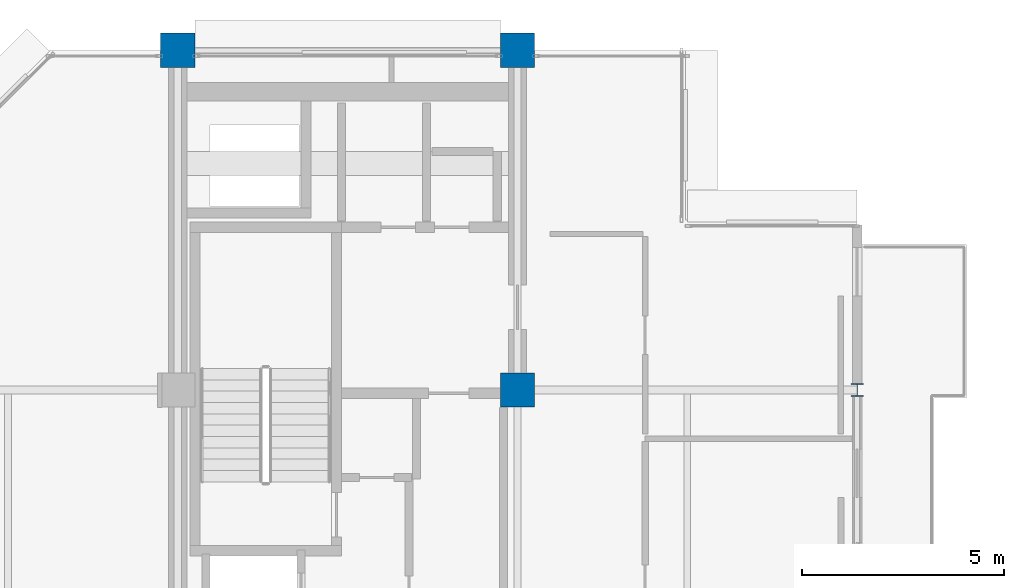
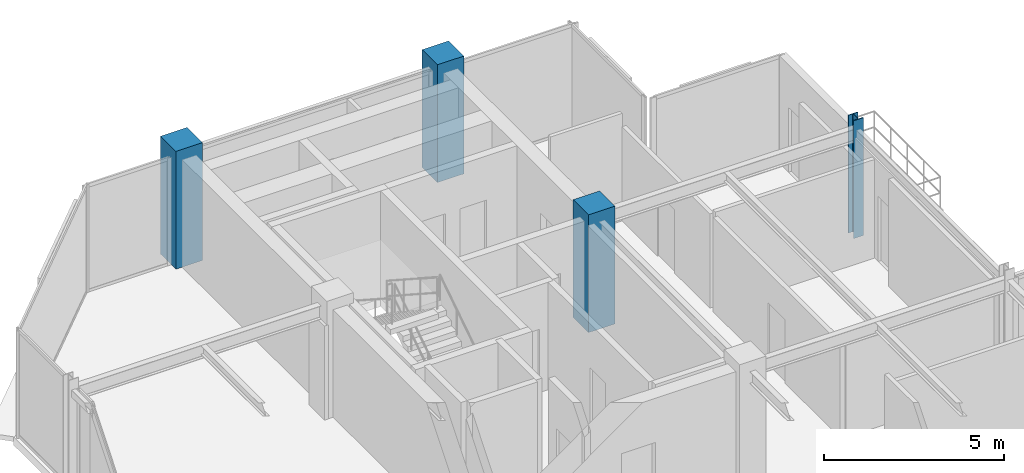
# One storey, part 2 of 25: 4 columns.
"""IFC4 building model written with IfcOpenShell, lengths in metres."""

from ifc_helpers import new_model, si_unit, direction, frame, origin, origin_2d, place, context, subcontext, project, spatial, rectangle, i_section, extrude, material, material_profile, profile_set, type_object, element, save


model = new_model("IFC4")

# Units and contexts
model_context = context("Model", 3, precision=1e-05, world=origin(), true_north=direction((0.0, 1.0)))
body_context = subcontext(model_context, "Body", "Model", "MODEL_VIEW")
ifc_project = project(units=[si_unit("LENGTHUNIT", "METRE"), si_unit("AREAUNIT", "SQUARE_METRE"), si_unit("VOLUMEUNIT", "CUBIC_METRE"), si_unit("PLANEANGLEUNIT", "RADIAN"), si_unit("MASSUNIT", "GRAM", prefix="KILO")], contexts=[model_context])

# Site, building, storey
site_placement = place(None, origin())
site = spatial("IfcSite", under=ifc_project, at=site_placement, CompositionType="ELEMENT")
building_placement = place(site_placement, origin())
building = spatial("IfcBuilding", under=site, at=building_placement, Name="Nerrivon Quay Data Exchange", CompositionType="ELEMENT")
storey_placement = place(building_placement, frame((0.0, 0.0, 318.199951171875)))
storey = spatial("IfcBuildingStorey", under=building, at=storey_placement, Name="L76", CompositionType="ELEMENT", Elevation=318.199951171875)

# Columns
ifc_material_1 = material(Name="Concrete N50 (50 MPa)", Category="concrete")
ifc_material_profile_1 = material_profile(ifc_material_1, rectangle(XDim=0.85009765625, YDim=0.85009765625, at=origin_2d()), Name="RC-COL-850x850")
ifc_profile_set_1 = profile_set([ifc_material_profile_1], Name="Concrete N50 (50 MPa)")
column_type_1 = type_object("IfcColumnType", Name="COL-C5-850", PredefinedType="COLUMN", material=ifc_profile_set_1)
for number, where, z_axis, x_axis, name in (
    (1, (8.39990234375, 42.0, 0.0), (0.0, 0.0, 1.0), (1.0, 0.0, 0.0), "L76 Column (8.4,42.0)"),
    (2, (16.800048828125, 33.60009765625, 0.0), (0.0, 0.0, 1.0), (1.0, 0.0, 0.0), "L76 Column (16.8,33.6)"),
    (3, (16.800048828125, 42.0, 0.0), (0.0, 0.0, 1.0), (1.0, 0.0, 0.0), "L76 Column (16.8,42.0)"),
):
    element("IfcColumn", number, at=place(storey_placement, frame(where, z_axis=z_axis, x_axis=x_axis)), inside=storey, type_object=column_type_1, Name=name, PredefinedType="COLUMN", context=body_context, shape_type="SweptSolid", body=[
        extrude(rectangle(XDim=0.85009765625, YDim=0.85009765625, at=origin_2d()), origin(), (0.0, 0.0, 1.0), 4.0),
    ])
ifc_material_2 = material(Name="Steel Grade 350", Category="steel")
ifc_material_profile_2 = material_profile(ifc_material_2, i_section(OverallWidth=0.31103515625, OverallDepth=0.326904296875, WebThickness=0.015625, FlangeThickness=0.02490234375, FilletRadius=0.0166015625, at=origin_2d()), Name="310UC158")
ifc_profile_set_2 = profile_set([ifc_material_profile_2], Name="Steel Grade 350")
column_type_2 = type_object("IfcColumnType", Name="COL-SC4-310UC158", PredefinedType="COLUMN", material=ifc_profile_set_2)
column_placement = place(storey_placement, frame((25.199951171875, 33.60009765625, 0.0), z_axis=(0.0, 0.0, 1.0), x_axis=(1.0, 0.0, 0.0)))
element("IfcColumn", 4, at=column_placement, inside=storey, type_object=column_type_2, Name="L76 Column (25.2,33.6)", PredefinedType="COLUMN", context=body_context, shape_type="SweptSolid", body=[
    extrude(i_section(OverallWidth=0.31103515625, OverallDepth=0.326904296875, WebThickness=0.015625, FlangeThickness=0.02490234375, FilletRadius=0.0166015625, at=origin_2d()), origin(), (0.0, 0.0, 1.0), 4.0),
])

save(model, "model.ifc")
